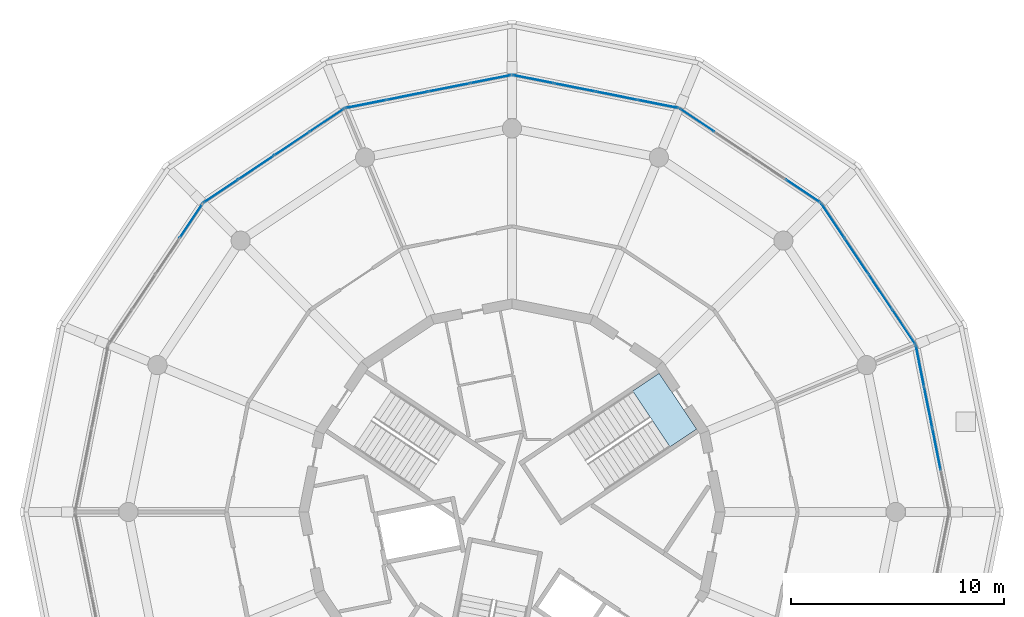
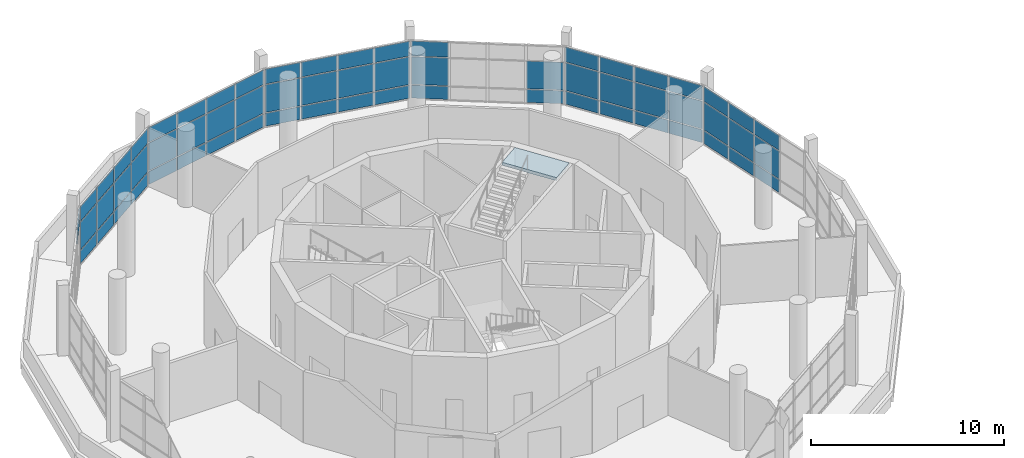
# One storey, part 15 of 21: 63 plates, 1 slab, 8 elements without a shape of their own.
"""IFC4 building model written with IfcOpenShell, lengths in metres."""

from ifc_helpers import new_model, si_unit, direction, frame, origin, origin_2d, place, context, subcontext, project, spatial, polyline, rectangle, outline, extrude, material, layer, layer_set, type_object, element, aggregate, save


model = new_model("IFC4")

# Units and contexts
model_context = context("Model", 3, precision=1e-05, world=origin(), true_north=direction((0.0, 1.0)))
body_context = subcontext(model_context, "Body", "Model", "MODEL_VIEW")
ifc_project = project(units=[si_unit("LENGTHUNIT", "METRE"), si_unit("AREAUNIT", "SQUARE_METRE"), si_unit("VOLUMEUNIT", "CUBIC_METRE"), si_unit("PLANEANGLEUNIT", "RADIAN"), si_unit("MASSUNIT", "GRAM", prefix="KILO")], contexts=[model_context])

# Site, building, storey
site_placement = place(None, origin())
site = spatial("IfcSite", under=ifc_project, at=site_placement, CompositionType="ELEMENT")
building_placement = place(site_placement, origin())
building = spatial("IfcBuilding", under=site, at=building_placement, Name="Ceibo Conservatory and Research Tower", CompositionType="ELEMENT")
storey_placement = place(building_placement, frame((0.0, 0.0, 15.60009765625)))
storey = spatial("IfcBuildingStorey", under=building, at=storey_placement, Name="L03", CompositionType="ELEMENT", Elevation=15.60009765625)

# Stair, slab
ifc_material_1 = material(Name="Concrete C35/45", Category="concrete")
stair_type = type_object("IfcStairType", Name="Escape stair 171 x 280", PredefinedType="HALF_TURN_STAIR", material=ifc_material_1)
stair_placement = place(storey_placement, origin())
stair = element("IfcStair", 1, at=stair_placement, inside=storey, type_object=stair_type, Name="Escape stair ST1 03", PredefinedType="HALF_TURN_STAIR")
ifc_layer_1 = layer(ifc_material_1, 0.199951171875)
ifc_layer_set_1 = layer_set([ifc_layer_1], Name="Concrete C35/45")
slab_type = type_object("IfcSlabType", Name="Escape stair landing", PredefinedType="LANDING", material=ifc_layer_set_1)
slab_placement = place(storey_placement, frame((54.90576171875, 126.508544921875, 4.599853515625), z_axis=(0.0, 0.0, 1.0), x_axis=(-0.831469612303, -0.55557023302, 0.0)))
slab = element("IfcSlab", 2, at=slab_placement, type_object=slab_type, Name="ST1 landing 2", PredefinedType="LANDING", context=body_context, shape_type="SweptSolid", body=[
    extrude(outline(polyline([(0.0, 0.0), (1.5, 0.0), (1.5, 3.150146484375), (0.0, 3.150146484375), (0.0, 0.0)])), origin(), (0.0, 0.0, 1.0), 0.199951171875),
])
aggregate(stair, [slab])

# Curtain wall, plates
ifc_material_2 = material(Name="Aluminium and glass", Category="aluminium")
curtain_wall_type = type_object("IfcCurtainWallType", Name="Curtain wall CW1", PredefinedType="NOTDEFINED", material=ifc_material_2)
curtain_wall_1_placement = place(storey_placement, origin())
curtain_wall_1 = element("IfcCurtainWall", 3, at=curtain_wall_1_placement, inside=storey, type_object=curtain_wall_type, Name="CW-03.01", PredefinedType="NOTDEFINED")
ifc_material_3 = material(Name="Glass", Category="glass")
ifc_layer_2 = layer(ifc_material_3, 0.028076171875)
ifc_layer_set_2 = layer_set([ifc_layer_2], Name="Glass")
plate_type = type_object("IfcPlateType", Name="Insulated glass panel 28", PredefinedType="CURTAIN_PANEL", material=ifc_layer_set_2)
plate_1_placement = place(storey_placement, frame((67.914794921875, 122.94189453125, 0.059814453125), z_axis=(0.0, 0.0, 1.0), x_axis=(-0.195090380799, 0.980785268711, 0.0)))
plate_1 = element("IfcPlate", 4, at=plate_1_placement, type_object=plate_type, Name="CW-03.01 panel 2.1", PredefinedType="CURTAIN_PANEL", context=body_context, shape_type="SweptSolid", body=[
    extrude(rectangle(XDim=1.939697265625, YDim=0.028076171875, at=origin_2d()), origin(), (0.0, 0.0, 1.0), 0.81005859375),
])
plate_2_placement = place(storey_placement, frame((67.914794921875, 122.94189453125, 0.9296875), z_axis=(0.0, 0.0, 1.0), x_axis=(-0.195090380799, 0.980785268711, 0.0)))
plate_2 = element("IfcPlate", 5, at=plate_2_placement, type_object=plate_type, Name="CW-03.01 panel 2.2", PredefinedType="CURTAIN_PANEL", context=body_context, shape_type="SweptSolid", body=[
    extrude(rectangle(XDim=1.939697265625, YDim=0.028076171875, at=origin_2d()), origin(), (0.0, 0.0, 1.0), 1.739990234375),
])
plate_3_placement = place(storey_placement, frame((67.914794921875, 122.94189453125, 2.72998046875), z_axis=(0.0, 0.0, 1.0), x_axis=(-0.195090380799, 0.980785268711, 0.0)))
plate_3 = element("IfcPlate", 6, at=plate_3_placement, type_object=plate_type, Name="CW-03.01 panel 2.3", PredefinedType="CURTAIN_PANEL", context=body_context, shape_type="SweptSolid", body=[
    extrude(rectangle(XDim=1.939697265625, YDim=0.028076171875, at=origin_2d()), origin(), (0.0, 0.0, 1.0), 0.929931640625),
])
plate_4_placement = place(storey_placement, frame((67.524658203125, 124.903076171875, 0.059814453125), z_axis=(0.0, 0.0, 1.0), x_axis=(-0.195090380799, 0.980785268711, 0.0)))
plate_4 = element("IfcPlate", 7, at=plate_4_placement, type_object=plate_type, Name="CW-03.01 panel 3.1", PredefinedType="CURTAIN_PANEL", context=body_context, shape_type="SweptSolid", body=[
    extrude(rectangle(XDim=1.939697265625, YDim=0.028076171875, at=origin_2d()), origin(), (0.0, 0.0, 1.0), 0.81005859375),
])
plate_5_placement = place(storey_placement, frame((67.524658203125, 124.903076171875, 0.9296875), z_axis=(0.0, 0.0, 1.0), x_axis=(-0.195090380799, 0.980785268711, 0.0)))
plate_5 = element("IfcPlate", 8, at=plate_5_placement, type_object=plate_type, Name="CW-03.01 panel 3.2", PredefinedType="CURTAIN_PANEL", context=body_context, shape_type="SweptSolid", body=[
    extrude(rectangle(XDim=1.939697265625, YDim=0.028076171875, at=origin_2d()), origin(), (0.0, 0.0, 1.0), 1.739990234375),
])
plate_6_placement = place(storey_placement, frame((67.524658203125, 124.903076171875, 2.72998046875), z_axis=(0.0, 0.0, 1.0), x_axis=(-0.195090380799, 0.980785268711, 0.0)))
plate_6 = element("IfcPlate", 9, at=plate_6_placement, type_object=plate_type, Name="CW-03.01 panel 3.3", PredefinedType="CURTAIN_PANEL", context=body_context, shape_type="SweptSolid", body=[
    extrude(rectangle(XDim=1.939697265625, YDim=0.028076171875, at=origin_2d()), origin(), (0.0, 0.0, 1.0), 0.929931640625),
])
plate_7_placement = place(storey_placement, frame((67.137451171875, 126.849609375, 0.059814453125), z_axis=(0.0, 0.0, 1.0), x_axis=(-0.195090380799, 0.980785268711, 0.0)))
plate_7 = element("IfcPlate", 10, at=plate_7_placement, type_object=plate_type, Name="CW-03.01 panel 4.1", PredefinedType="CURTAIN_PANEL", context=body_context, shape_type="SweptSolid", body=[
    extrude(rectangle(XDim=1.90966796875, YDim=0.028076171875, at=origin_2d()), origin(), (0.0, 0.0, 1.0), 0.81005859375),
])
plate_8_placement = place(storey_placement, frame((67.137451171875, 126.849609375, 0.9296875), z_axis=(0.0, 0.0, 1.0), x_axis=(-0.195090380799, 0.980785268711, 0.0)))
plate_8 = element("IfcPlate", 11, at=plate_8_placement, type_object=plate_type, Name="CW-03.01 panel 4.2", PredefinedType="CURTAIN_PANEL", context=body_context, shape_type="SweptSolid", body=[
    extrude(rectangle(XDim=1.90966796875, YDim=0.028076171875, at=origin_2d()), origin(), (0.0, 0.0, 1.0), 1.739990234375),
])
plate_9_placement = place(storey_placement, frame((67.137451171875, 126.849609375, 2.72998046875), z_axis=(0.0, 0.0, 1.0), x_axis=(-0.195090380799, 0.980785268711, 0.0)))
plate_9 = element("IfcPlate", 12, at=plate_9_placement, type_object=plate_type, Name="CW-03.01 panel 4.3", PredefinedType="CURTAIN_PANEL", context=body_context, shape_type="SweptSolid", body=[
    extrude(rectangle(XDim=1.90966796875, YDim=0.028076171875, at=origin_2d()), origin(), (0.0, 0.0, 1.0), 0.929931640625),
])
aggregate(curtain_wall_1, [plate_1, plate_2, plate_3, plate_4, plate_5, plate_6, plate_7, plate_8, plate_9])

curtain_wall_2_placement = place(storey_placement, origin())
curtain_wall_2 = element("IfcCurtainWall", 13, at=curtain_wall_2_placement, inside=storey, type_object=curtain_wall_type, Name="CW-03.02", PredefinedType="NOTDEFINED")
plate_10_placement = place(storey_placement, frame((66.375732421875, 128.688720703125, 0.059814453125), z_axis=(0.0, 0.0, 1.0), x_axis=(-0.555570178092, 0.831469649004, 0.0)))
plate_10 = element("IfcPlate", 14, at=plate_10_placement, type_object=plate_type, Name="CW-03.02 panel 1.1", PredefinedType="CURTAIN_PANEL", context=body_context, shape_type="SweptSolid", body=[
    extrude(rectangle(XDim=1.90966796875, YDim=0.028076171875, at=origin_2d()), origin(), (0.0, 0.0, 1.0), 0.81005859375),
])
plate_11_placement = place(storey_placement, frame((66.375732421875, 128.688720703125, 0.9296875), z_axis=(0.0, 0.0, 1.0), x_axis=(-0.555570178092, 0.831469649004, 0.0)))
plate_11 = element("IfcPlate", 15, at=plate_11_placement, type_object=plate_type, Name="CW-03.02 panel 1.2", PredefinedType="CURTAIN_PANEL", context=body_context, shape_type="SweptSolid", body=[
    extrude(rectangle(XDim=1.90966796875, YDim=0.028076171875, at=origin_2d()), origin(), (0.0, 0.0, 1.0), 1.739990234375),
])
plate_12_placement = place(storey_placement, frame((66.375732421875, 128.688720703125, 2.72998046875), z_axis=(0.0, 0.0, 1.0), x_axis=(-0.555570178092, 0.831469649004, 0.0)))
plate_12 = element("IfcPlate", 16, at=plate_12_placement, type_object=plate_type, Name="CW-03.02 panel 1.3", PredefinedType="CURTAIN_PANEL", context=body_context, shape_type="SweptSolid", body=[
    extrude(rectangle(XDim=1.90966796875, YDim=0.028076171875, at=origin_2d()), origin(), (0.0, 0.0, 1.0), 0.929931640625),
])
plate_13_placement = place(storey_placement, frame((65.273193359375, 130.339111328125, 0.059814453125), z_axis=(0.0, 0.0, 1.0), x_axis=(-0.555570178092, 0.831469649004, 0.0)))
plate_13 = element("IfcPlate", 17, at=plate_13_placement, type_object=plate_type, Name="CW-03.02 panel 2.1", PredefinedType="CURTAIN_PANEL", context=body_context, shape_type="SweptSolid", body=[
    extrude(rectangle(XDim=1.939697265625, YDim=0.028076171875, at=origin_2d()), origin(), (0.0, 0.0, 1.0), 0.81005859375),
])
plate_14_placement = place(storey_placement, frame((65.273193359375, 130.339111328125, 0.9296875), z_axis=(0.0, 0.0, 1.0), x_axis=(-0.555570178092, 0.831469649004, 0.0)))
plate_14 = element("IfcPlate", 18, at=plate_14_placement, type_object=plate_type, Name="CW-03.02 panel 2.2", PredefinedType="CURTAIN_PANEL", context=body_context, shape_type="SweptSolid", body=[
    extrude(rectangle(XDim=1.939697265625, YDim=0.028076171875, at=origin_2d()), origin(), (0.0, 0.0, 1.0), 1.739990234375),
])
plate_15_placement = place(storey_placement, frame((65.273193359375, 130.339111328125, 2.72998046875), z_axis=(0.0, 0.0, 1.0), x_axis=(-0.555570178092, 0.831469649004, 0.0)))
plate_15 = element("IfcPlate", 19, at=plate_15_placement, type_object=plate_type, Name="CW-03.02 panel 2.3", PredefinedType="CURTAIN_PANEL", context=body_context, shape_type="SweptSolid", body=[
    extrude(rectangle(XDim=1.939697265625, YDim=0.028076171875, at=origin_2d()), origin(), (0.0, 0.0, 1.0), 0.929931640625),
])
plate_16_placement = place(storey_placement, frame((64.162109375, 132.001708984375, 0.059814453125), z_axis=(0.0, 0.0, 1.0), x_axis=(-0.555570178092, 0.831469649004, 0.0)))
plate_16 = element("IfcPlate", 20, at=plate_16_placement, type_object=plate_type, Name="CW-03.02 panel 3.1", PredefinedType="CURTAIN_PANEL", context=body_context, shape_type="SweptSolid", body=[
    extrude(rectangle(XDim=1.939697265625, YDim=0.028076171875, at=origin_2d()), origin(), (0.0, 0.0, 1.0), 0.81005859375),
])
plate_17_placement = place(storey_placement, frame((64.162109375, 132.001708984375, 0.9296875), z_axis=(0.0, 0.0, 1.0), x_axis=(-0.555570178092, 0.831469649004, 0.0)))
plate_17 = element("IfcPlate", 21, at=plate_17_placement, type_object=plate_type, Name="CW-03.02 panel 3.2", PredefinedType="CURTAIN_PANEL", context=body_context, shape_type="SweptSolid", body=[
    extrude(rectangle(XDim=1.939697265625, YDim=0.028076171875, at=origin_2d()), origin(), (0.0, 0.0, 1.0), 1.739990234375),
])
plate_18_placement = place(storey_placement, frame((64.162109375, 132.001708984375, 2.72998046875), z_axis=(0.0, 0.0, 1.0), x_axis=(-0.555570178092, 0.831469649004, 0.0)))
plate_18 = element("IfcPlate", 22, at=plate_18_placement, type_object=plate_type, Name="CW-03.02 panel 3.3", PredefinedType="CURTAIN_PANEL", context=body_context, shape_type="SweptSolid", body=[
    extrude(rectangle(XDim=1.939697265625, YDim=0.028076171875, at=origin_2d()), origin(), (0.0, 0.0, 1.0), 0.929931640625),
])
plate_19_placement = place(storey_placement, frame((63.0595703125, 133.65185546875, 0.059814453125), z_axis=(0.0, 0.0, 1.0), x_axis=(-0.555570178092, 0.831469649004, 0.0)))
plate_19 = element("IfcPlate", 23, at=plate_19_placement, type_object=plate_type, Name="CW-03.02 panel 4.1", PredefinedType="CURTAIN_PANEL", context=body_context, shape_type="SweptSolid", body=[
    extrude(rectangle(XDim=1.90966796875, YDim=0.028076171875, at=origin_2d()), origin(), (0.0, 0.0, 1.0), 0.81005859375),
])
plate_20_placement = place(storey_placement, frame((63.0595703125, 133.65185546875, 0.9296875), z_axis=(0.0, 0.0, 1.0), x_axis=(-0.555570178092, 0.831469649004, 0.0)))
plate_20 = element("IfcPlate", 24, at=plate_20_placement, type_object=plate_type, Name="CW-03.02 panel 4.2", PredefinedType="CURTAIN_PANEL", context=body_context, shape_type="SweptSolid", body=[
    extrude(rectangle(XDim=1.90966796875, YDim=0.028076171875, at=origin_2d()), origin(), (0.0, 0.0, 1.0), 1.739990234375),
])
plate_21_placement = place(storey_placement, frame((63.0595703125, 133.65185546875, 2.72998046875), z_axis=(0.0, 0.0, 1.0), x_axis=(-0.555570178092, 0.831469649004, 0.0)))
plate_21 = element("IfcPlate", 25, at=plate_21_placement, type_object=plate_type, Name="CW-03.02 panel 4.3", PredefinedType="CURTAIN_PANEL", context=body_context, shape_type="SweptSolid", body=[
    extrude(rectangle(XDim=1.90966796875, YDim=0.028076171875, at=origin_2d()), origin(), (0.0, 0.0, 1.0), 0.929931640625),
])
aggregate(curtain_wall_2, [plate_10, plate_11, plate_12, plate_13, plate_14, plate_15, plate_16, plate_17, plate_18, plate_19, plate_20, plate_21])

curtain_wall_3_placement = place(storey_placement, origin())
curtain_wall_3 = element("IfcCurtainWall", 26, at=curtain_wall_3_placement, inside=storey, type_object=curtain_wall_type, Name="CW-03.03", PredefinedType="NOTDEFINED")
plate_22_placement = place(storey_placement, frame((61.65185546875, 135.0595703125, 0.059814453125), z_axis=(0.0, 0.0, 1.0), x_axis=(-0.831469649004, 0.555570178092, 0.0)))
plate_22 = element("IfcPlate", 27, at=plate_22_placement, type_object=plate_type, Name="CW-03.03 panel 1.1", PredefinedType="CURTAIN_PANEL", context=body_context, shape_type="SweptSolid", body=[
    extrude(rectangle(XDim=1.90966796875, YDim=0.028076171875, at=origin_2d()), origin(), (0.0, 0.0, 1.0), 0.81005859375),
])
plate_23_placement = place(storey_placement, frame((61.65185546875, 135.0595703125, 0.9296875), z_axis=(0.0, 0.0, 1.0), x_axis=(-0.831469649004, 0.555570178092, 0.0)))
plate_23 = element("IfcPlate", 28, at=plate_23_placement, type_object=plate_type, Name="CW-03.03 panel 1.2", PredefinedType="CURTAIN_PANEL", context=body_context, shape_type="SweptSolid", body=[
    extrude(rectangle(XDim=1.90966796875, YDim=0.028076171875, at=origin_2d()), origin(), (0.0, 0.0, 1.0), 1.739990234375),
])
plate_24_placement = place(storey_placement, frame((56.688720703125, 138.375732421875, 0.059814453125), z_axis=(0.0, 0.0, 1.0), x_axis=(-0.831469649004, 0.555570178092, 0.0)))
plate_24 = element("IfcPlate", 29, at=plate_24_placement, type_object=plate_type, Name="CW-03.03 panel 4.1", PredefinedType="CURTAIN_PANEL", context=body_context, shape_type="SweptSolid", body=[
    extrude(rectangle(XDim=1.90966796875, YDim=0.028076171875, at=origin_2d()), origin(), (0.0, 0.0, 1.0), 0.81005859375),
])
plate_25_placement = place(storey_placement, frame((56.688720703125, 138.375732421875, 0.9296875), z_axis=(0.0, 0.0, 1.0), x_axis=(-0.831469649004, 0.555570178092, 0.0)))
plate_25 = element("IfcPlate", 30, at=plate_25_placement, type_object=plate_type, Name="CW-03.03 panel 4.2", PredefinedType="CURTAIN_PANEL", context=body_context, shape_type="SweptSolid", body=[
    extrude(rectangle(XDim=1.90966796875, YDim=0.028076171875, at=origin_2d()), origin(), (0.0, 0.0, 1.0), 1.739990234375),
])
plate_26_placement = place(storey_placement, frame((56.688720703125, 138.375732421875, 2.72998046875), z_axis=(0.0, 0.0, 1.0), x_axis=(-0.831469649004, 0.555570178092, 0.0)))
plate_26 = element("IfcPlate", 31, at=plate_26_placement, type_object=plate_type, Name="CW-03.03 panel 4.3", PredefinedType="CURTAIN_PANEL", context=body_context, shape_type="SweptSolid", body=[
    extrude(rectangle(XDim=1.90966796875, YDim=0.028076171875, at=origin_2d()), origin(), (0.0, 0.0, 1.0), 0.929931640625),
])
aggregate(curtain_wall_3, [plate_22, plate_23, plate_24, plate_25, plate_26])

curtain_wall_4_placement = place(storey_placement, origin())
curtain_wall_4 = element("IfcCurtainWall", 32, at=curtain_wall_4_placement, inside=storey, type_object=curtain_wall_type, Name="CW-03.04", PredefinedType="NOTDEFINED")
plate_27_placement = place(storey_placement, frame((54.849609375, 139.137451171875, 0.059814453125), z_axis=(0.0, 0.0, 1.0), x_axis=(-0.980785268711, 0.195090380799, 0.0)))
plate_27 = element("IfcPlate", 33, at=plate_27_placement, type_object=plate_type, Name="CW-03.04 panel 1.1", PredefinedType="CURTAIN_PANEL", context=body_context, shape_type="SweptSolid", body=[
    extrude(rectangle(XDim=1.90966796875, YDim=0.028076171875, at=origin_2d()), origin(), (0.0, 0.0, 1.0), 0.81005859375),
])
plate_28_placement = place(storey_placement, frame((54.849609375, 139.137451171875, 0.9296875), z_axis=(0.0, 0.0, 1.0), x_axis=(-0.980785268711, 0.195090380799, 0.0)))
plate_28 = element("IfcPlate", 34, at=plate_28_placement, type_object=plate_type, Name="CW-03.04 panel 1.2", PredefinedType="CURTAIN_PANEL", context=body_context, shape_type="SweptSolid", body=[
    extrude(rectangle(XDim=1.90966796875, YDim=0.028076171875, at=origin_2d()), origin(), (0.0, 0.0, 1.0), 1.739990234375),
])
plate_29_placement = place(storey_placement, frame((54.849609375, 139.137451171875, 2.72998046875), z_axis=(0.0, 0.0, 1.0), x_axis=(-0.980785268711, 0.195090380799, 0.0)))
plate_29 = element("IfcPlate", 35, at=plate_29_placement, type_object=plate_type, Name="CW-03.04 panel 1.3", PredefinedType="CURTAIN_PANEL", context=body_context, shape_type="SweptSolid", body=[
    extrude(rectangle(XDim=1.90966796875, YDim=0.028076171875, at=origin_2d()), origin(), (0.0, 0.0, 1.0), 0.929931640625),
])
plate_30_placement = place(storey_placement, frame((52.903076171875, 139.524658203125, 0.059814453125), z_axis=(0.0, 0.0, 1.0), x_axis=(-0.980785268711, 0.195090380799, 0.0)))
plate_30 = element("IfcPlate", 36, at=plate_30_placement, type_object=plate_type, Name="CW-03.04 panel 2.1", PredefinedType="CURTAIN_PANEL", context=body_context, shape_type="SweptSolid", body=[
    extrude(rectangle(XDim=1.939697265625, YDim=0.028076171875, at=origin_2d()), origin(), (0.0, 0.0, 1.0), 0.81005859375),
])
plate_31_placement = place(storey_placement, frame((52.903076171875, 139.524658203125, 0.9296875), z_axis=(0.0, 0.0, 1.0), x_axis=(-0.980785268711, 0.195090380799, 0.0)))
plate_31 = element("IfcPlate", 37, at=plate_31_placement, type_object=plate_type, Name="CW-03.04 panel 2.2", PredefinedType="CURTAIN_PANEL", context=body_context, shape_type="SweptSolid", body=[
    extrude(rectangle(XDim=1.939697265625, YDim=0.028076171875, at=origin_2d()), origin(), (0.0, 0.0, 1.0), 1.739990234375),
])
plate_32_placement = place(storey_placement, frame((52.903076171875, 139.524658203125, 2.72998046875), z_axis=(0.0, 0.0, 1.0), x_axis=(-0.980785268711, 0.195090380799, 0.0)))
plate_32 = element("IfcPlate", 38, at=plate_32_placement, type_object=plate_type, Name="CW-03.04 panel 2.3", PredefinedType="CURTAIN_PANEL", context=body_context, shape_type="SweptSolid", body=[
    extrude(rectangle(XDim=1.939697265625, YDim=0.028076171875, at=origin_2d()), origin(), (0.0, 0.0, 1.0), 0.929931640625),
])
plate_33_placement = place(storey_placement, frame((50.94189453125, 139.914794921875, 0.059814453125), z_axis=(0.0, 0.0, 1.0), x_axis=(-0.980785268711, 0.195090380799, 0.0)))
plate_33 = element("IfcPlate", 39, at=plate_33_placement, type_object=plate_type, Name="CW-03.04 panel 3.1", PredefinedType="CURTAIN_PANEL", context=body_context, shape_type="SweptSolid", body=[
    extrude(rectangle(XDim=1.939697265625, YDim=0.028076171875, at=origin_2d()), origin(), (0.0, 0.0, 1.0), 0.81005859375),
])
plate_34_placement = place(storey_placement, frame((50.94189453125, 139.914794921875, 0.9296875), z_axis=(0.0, 0.0, 1.0), x_axis=(-0.980785268711, 0.195090380799, 0.0)))
plate_34 = element("IfcPlate", 40, at=plate_34_placement, type_object=plate_type, Name="CW-03.04 panel 3.2", PredefinedType="CURTAIN_PANEL", context=body_context, shape_type="SweptSolid", body=[
    extrude(rectangle(XDim=1.939697265625, YDim=0.028076171875, at=origin_2d()), origin(), (0.0, 0.0, 1.0), 1.739990234375),
])
plate_35_placement = place(storey_placement, frame((50.94189453125, 139.914794921875, 2.72998046875), z_axis=(0.0, 0.0, 1.0), x_axis=(-0.980785268711, 0.195090380799, 0.0)))
plate_35 = element("IfcPlate", 41, at=plate_35_placement, type_object=plate_type, Name="CW-03.04 panel 3.3", PredefinedType="CURTAIN_PANEL", context=body_context, shape_type="SweptSolid", body=[
    extrude(rectangle(XDim=1.939697265625, YDim=0.028076171875, at=origin_2d()), origin(), (0.0, 0.0, 1.0), 0.929931640625),
])
plate_36_placement = place(storey_placement, frame((48.995361328125, 140.302001953125, 0.059814453125), z_axis=(0.0, 0.0, 1.0), x_axis=(-0.980785268711, 0.195090380799, 0.0)))
plate_36 = element("IfcPlate", 42, at=plate_36_placement, type_object=plate_type, Name="CW-03.04 panel 4.1", PredefinedType="CURTAIN_PANEL", context=body_context, shape_type="SweptSolid", body=[
    extrude(rectangle(XDim=1.90966796875, YDim=0.028076171875, at=origin_2d()), origin(), (0.0, 0.0, 1.0), 0.81005859375),
])
plate_37_placement = place(storey_placement, frame((48.995361328125, 140.302001953125, 0.9296875), z_axis=(0.0, 0.0, 1.0), x_axis=(-0.980785268711, 0.195090380799, 0.0)))
plate_37 = element("IfcPlate", 43, at=plate_37_placement, type_object=plate_type, Name="CW-03.04 panel 4.2", PredefinedType="CURTAIN_PANEL", context=body_context, shape_type="SweptSolid", body=[
    extrude(rectangle(XDim=1.90966796875, YDim=0.028076171875, at=origin_2d()), origin(), (0.0, 0.0, 1.0), 1.739990234375),
])
plate_38_placement = place(storey_placement, frame((48.995361328125, 140.302001953125, 2.72998046875), z_axis=(0.0, 0.0, 1.0), x_axis=(-0.980785268711, 0.195090380799, 0.0)))
plate_38 = element("IfcPlate", 44, at=plate_38_placement, type_object=plate_type, Name="CW-03.04 panel 4.3", PredefinedType="CURTAIN_PANEL", context=body_context, shape_type="SweptSolid", body=[
    extrude(rectangle(XDim=1.90966796875, YDim=0.028076171875, at=origin_2d()), origin(), (0.0, 0.0, 1.0), 0.929931640625),
])
aggregate(curtain_wall_4, [plate_27, plate_28, plate_29, plate_30, plate_31, plate_32, plate_33, plate_34, plate_35, plate_36, plate_37, plate_38])

curtain_wall_5_placement = place(storey_placement, origin())
curtain_wall_5 = element("IfcCurtainWall", 45, at=curtain_wall_5_placement, inside=storey, type_object=curtain_wall_type, Name="CW-03.05", PredefinedType="NOTDEFINED")
plate_39_placement = place(storey_placement, frame((47.004638671875, 140.302001953125, 0.059814453125), z_axis=(0.0, 0.0, 1.0), x_axis=(-0.980785268711, -0.195090380799, 0.0)))
plate_39 = element("IfcPlate", 46, at=plate_39_placement, type_object=plate_type, Name="CW-03.05 panel 1.1", PredefinedType="CURTAIN_PANEL", context=body_context, shape_type="SweptSolid", body=[
    extrude(rectangle(XDim=1.90966796875, YDim=0.028076171875, at=origin_2d()), origin(), (0.0, 0.0, 1.0), 0.81005859375),
])
plate_40_placement = place(storey_placement, frame((47.004638671875, 140.302001953125, 0.9296875), z_axis=(0.0, 0.0, 1.0), x_axis=(-0.980785268711, -0.195090380799, 0.0)))
plate_40 = element("IfcPlate", 47, at=plate_40_placement, type_object=plate_type, Name="CW-03.05 panel 1.2", PredefinedType="CURTAIN_PANEL", context=body_context, shape_type="SweptSolid", body=[
    extrude(rectangle(XDim=1.90966796875, YDim=0.028076171875, at=origin_2d()), origin(), (0.0, 0.0, 1.0), 1.739990234375),
])
plate_41_placement = place(storey_placement, frame((47.004638671875, 140.302001953125, 2.72998046875), z_axis=(0.0, 0.0, 1.0), x_axis=(-0.980785268711, -0.195090380799, 0.0)))
plate_41 = element("IfcPlate", 48, at=plate_41_placement, type_object=plate_type, Name="CW-03.05 panel 1.3", PredefinedType="CURTAIN_PANEL", context=body_context, shape_type="SweptSolid", body=[
    extrude(rectangle(XDim=1.90966796875, YDim=0.028076171875, at=origin_2d()), origin(), (0.0, 0.0, 1.0), 0.929931640625),
])
plate_42_placement = place(storey_placement, frame((45.05810546875, 139.914794921875, 0.059814453125), z_axis=(0.0, 0.0, 1.0), x_axis=(-0.980785268711, -0.195090380799, 0.0)))
plate_42 = element("IfcPlate", 49, at=plate_42_placement, type_object=plate_type, Name="CW-03.05 panel 2.1", PredefinedType="CURTAIN_PANEL", context=body_context, shape_type="SweptSolid", body=[
    extrude(rectangle(XDim=1.939697265625, YDim=0.028076171875, at=origin_2d()), origin(), (0.0, 0.0, 1.0), 0.81005859375),
])
plate_43_placement = place(storey_placement, frame((45.05810546875, 139.914794921875, 0.9296875), z_axis=(0.0, 0.0, 1.0), x_axis=(-0.980785268711, -0.195090380799, 0.0)))
plate_43 = element("IfcPlate", 50, at=plate_43_placement, type_object=plate_type, Name="CW-03.05 panel 2.2", PredefinedType="CURTAIN_PANEL", context=body_context, shape_type="SweptSolid", body=[
    extrude(rectangle(XDim=1.939697265625, YDim=0.028076171875, at=origin_2d()), origin(), (0.0, 0.0, 1.0), 1.739990234375),
])
plate_44_placement = place(storey_placement, frame((45.05810546875, 139.914794921875, 2.72998046875), z_axis=(0.0, 0.0, 1.0), x_axis=(-0.980785268711, -0.195090380799, 0.0)))
plate_44 = element("IfcPlate", 51, at=plate_44_placement, type_object=plate_type, Name="CW-03.05 panel 2.3", PredefinedType="CURTAIN_PANEL", context=body_context, shape_type="SweptSolid", body=[
    extrude(rectangle(XDim=1.939697265625, YDim=0.028076171875, at=origin_2d()), origin(), (0.0, 0.0, 1.0), 0.929931640625),
])
plate_45_placement = place(storey_placement, frame((43.096923828125, 139.524658203125, 0.059814453125), z_axis=(0.0, 0.0, 1.0), x_axis=(-0.980785268711, -0.195090380799, 0.0)))
plate_45 = element("IfcPlate", 52, at=plate_45_placement, type_object=plate_type, Name="CW-03.05 panel 3.1", PredefinedType="CURTAIN_PANEL", context=body_context, shape_type="SweptSolid", body=[
    extrude(rectangle(XDim=1.939697265625, YDim=0.028076171875, at=origin_2d()), origin(), (0.0, 0.0, 1.0), 0.81005859375),
])
plate_46_placement = place(storey_placement, frame((43.096923828125, 139.524658203125, 0.9296875), z_axis=(0.0, 0.0, 1.0), x_axis=(-0.980785268711, -0.195090380799, 0.0)))
plate_46 = element("IfcPlate", 53, at=plate_46_placement, type_object=plate_type, Name="CW-03.05 panel 3.2", PredefinedType="CURTAIN_PANEL", context=body_context, shape_type="SweptSolid", body=[
    extrude(rectangle(XDim=1.939697265625, YDim=0.028076171875, at=origin_2d()), origin(), (0.0, 0.0, 1.0), 1.739990234375),
])
plate_47_placement = place(storey_placement, frame((43.096923828125, 139.524658203125, 2.72998046875), z_axis=(0.0, 0.0, 1.0), x_axis=(-0.980785268711, -0.195090380799, 0.0)))
plate_47 = element("IfcPlate", 54, at=plate_47_placement, type_object=plate_type, Name="CW-03.05 panel 3.3", PredefinedType="CURTAIN_PANEL", context=body_context, shape_type="SweptSolid", body=[
    extrude(rectangle(XDim=1.939697265625, YDim=0.028076171875, at=origin_2d()), origin(), (0.0, 0.0, 1.0), 0.929931640625),
])
plate_48_placement = place(storey_placement, frame((41.150390625, 139.137451171875, 0.059814453125), z_axis=(0.0, 0.0, 1.0), x_axis=(-0.980785268711, -0.195090380799, 0.0)))
plate_48 = element("IfcPlate", 55, at=plate_48_placement, type_object=plate_type, Name="CW-03.05 panel 4.1", PredefinedType="CURTAIN_PANEL", context=body_context, shape_type="SweptSolid", body=[
    extrude(rectangle(XDim=1.90966796875, YDim=0.028076171875, at=origin_2d()), origin(), (0.0, 0.0, 1.0), 0.81005859375),
])
plate_49_placement = place(storey_placement, frame((41.150390625, 139.137451171875, 0.9296875), z_axis=(0.0, 0.0, 1.0), x_axis=(-0.980785268711, -0.195090380799, 0.0)))
plate_49 = element("IfcPlate", 56, at=plate_49_placement, type_object=plate_type, Name="CW-03.05 panel 4.2", PredefinedType="CURTAIN_PANEL", context=body_context, shape_type="SweptSolid", body=[
    extrude(rectangle(XDim=1.90966796875, YDim=0.028076171875, at=origin_2d()), origin(), (0.0, 0.0, 1.0), 1.739990234375),
])
plate_50_placement = place(storey_placement, frame((41.150390625, 139.137451171875, 2.72998046875), z_axis=(0.0, 0.0, 1.0), x_axis=(-0.980785268711, -0.195090380799, 0.0)))
plate_50 = element("IfcPlate", 57, at=plate_50_placement, type_object=plate_type, Name="CW-03.05 panel 4.3", PredefinedType="CURTAIN_PANEL", context=body_context, shape_type="SweptSolid", body=[
    extrude(rectangle(XDim=1.90966796875, YDim=0.028076171875, at=origin_2d()), origin(), (0.0, 0.0, 1.0), 0.929931640625),
])
aggregate(curtain_wall_5, [plate_39, plate_40, plate_41, plate_42, plate_43, plate_44, plate_45, plate_46, plate_47, plate_48, plate_49, plate_50])

curtain_wall_6_placement = place(storey_placement, origin())
curtain_wall_6 = element("IfcCurtainWall", 58, at=curtain_wall_6_placement, inside=storey, type_object=curtain_wall_type, Name="CW-03.06", PredefinedType="NOTDEFINED")
plate_51_placement = place(storey_placement, frame((39.311279296875, 138.375732421875, 0.059814453125), z_axis=(0.0, 0.0, 1.0), x_axis=(-0.831469649004, -0.555570178092, 0.0)))
plate_51 = element("IfcPlate", 59, at=plate_51_placement, type_object=plate_type, Name="CW-03.06 panel 1.1", PredefinedType="CURTAIN_PANEL", context=body_context, shape_type="SweptSolid", body=[
    extrude(rectangle(XDim=1.90966796875, YDim=0.028076171875, at=origin_2d()), origin(), (0.0, 0.0, 1.0), 0.81005859375),
])
plate_52_placement = place(storey_placement, frame((39.311279296875, 138.375732421875, 0.9296875), z_axis=(0.0, 0.0, 1.0), x_axis=(-0.831469649004, -0.555570178092, 0.0)))
plate_52 = element("IfcPlate", 60, at=plate_52_placement, type_object=plate_type, Name="CW-03.06 panel 1.2", PredefinedType="CURTAIN_PANEL", context=body_context, shape_type="SweptSolid", body=[
    extrude(rectangle(XDim=1.90966796875, YDim=0.028076171875, at=origin_2d()), origin(), (0.0, 0.0, 1.0), 1.739990234375),
])
plate_53_placement = place(storey_placement, frame((39.311279296875, 138.375732421875, 2.72998046875), z_axis=(0.0, 0.0, 1.0), x_axis=(-0.831469649004, -0.555570178092, 0.0)))
plate_53 = element("IfcPlate", 61, at=plate_53_placement, type_object=plate_type, Name="CW-03.06 panel 1.3", PredefinedType="CURTAIN_PANEL", context=body_context, shape_type="SweptSolid", body=[
    extrude(rectangle(XDim=1.90966796875, YDim=0.028076171875, at=origin_2d()), origin(), (0.0, 0.0, 1.0), 0.929931640625),
])
plate_54_placement = place(storey_placement, frame((37.660888671875, 137.273193359375, 0.059814453125), z_axis=(0.0, 0.0, 1.0), x_axis=(-0.831469649004, -0.555570178092, 0.0)))
plate_54 = element("IfcPlate", 62, at=plate_54_placement, type_object=plate_type, Name="CW-03.06 panel 2.1", PredefinedType="CURTAIN_PANEL", context=body_context, shape_type="SweptSolid", body=[
    extrude(rectangle(XDim=1.939697265625, YDim=0.028076171875, at=origin_2d()), origin(), (0.0, 0.0, 1.0), 0.81005859375),
])
plate_55_placement = place(storey_placement, frame((37.660888671875, 137.273193359375, 0.9296875), z_axis=(0.0, 0.0, 1.0), x_axis=(-0.831469649004, -0.555570178092, 0.0)))
plate_55 = element("IfcPlate", 63, at=plate_55_placement, type_object=plate_type, Name="CW-03.06 panel 2.2", PredefinedType="CURTAIN_PANEL", context=body_context, shape_type="SweptSolid", body=[
    extrude(rectangle(XDim=1.939697265625, YDim=0.028076171875, at=origin_2d()), origin(), (0.0, 0.0, 1.0), 1.739990234375),
])
plate_56_placement = place(storey_placement, frame((37.660888671875, 137.273193359375, 2.72998046875), z_axis=(0.0, 0.0, 1.0), x_axis=(-0.831469649004, -0.555570178092, 0.0)))
plate_56 = element("IfcPlate", 64, at=plate_56_placement, type_object=plate_type, Name="CW-03.06 panel 2.3", PredefinedType="CURTAIN_PANEL", context=body_context, shape_type="SweptSolid", body=[
    extrude(rectangle(XDim=1.939697265625, YDim=0.028076171875, at=origin_2d()), origin(), (0.0, 0.0, 1.0), 0.929931640625),
])
plate_57_placement = place(storey_placement, frame((35.998291015625, 136.162109375, 0.059814453125), z_axis=(0.0, 0.0, 1.0), x_axis=(-0.831469649004, -0.555570178092, 0.0)))
plate_57 = element("IfcPlate", 65, at=plate_57_placement, type_object=plate_type, Name="CW-03.06 panel 3.1", PredefinedType="CURTAIN_PANEL", context=body_context, shape_type="SweptSolid", body=[
    extrude(rectangle(XDim=1.939697265625, YDim=0.028076171875, at=origin_2d()), origin(), (0.0, 0.0, 1.0), 0.81005859375),
])
plate_58_placement = place(storey_placement, frame((35.998291015625, 136.162109375, 0.9296875), z_axis=(0.0, 0.0, 1.0), x_axis=(-0.831469649004, -0.555570178092, 0.0)))
plate_58 = element("IfcPlate", 66, at=plate_58_placement, type_object=plate_type, Name="CW-03.06 panel 3.2", PredefinedType="CURTAIN_PANEL", context=body_context, shape_type="SweptSolid", body=[
    extrude(rectangle(XDim=1.939697265625, YDim=0.028076171875, at=origin_2d()), origin(), (0.0, 0.0, 1.0), 1.739990234375),
])
plate_59_placement = place(storey_placement, frame((35.998291015625, 136.162109375, 2.72998046875), z_axis=(0.0, 0.0, 1.0), x_axis=(-0.831469649004, -0.555570178092, 0.0)))
plate_59 = element("IfcPlate", 67, at=plate_59_placement, type_object=plate_type, Name="CW-03.06 panel 3.3", PredefinedType="CURTAIN_PANEL", context=body_context, shape_type="SweptSolid", body=[
    extrude(rectangle(XDim=1.939697265625, YDim=0.028076171875, at=origin_2d()), origin(), (0.0, 0.0, 1.0), 0.929931640625),
])
plate_60_placement = place(storey_placement, frame((34.34814453125, 135.0595703125, 0.059814453125), z_axis=(0.0, 0.0, 1.0), x_axis=(-0.831469649004, -0.555570178092, 0.0)))
plate_60 = element("IfcPlate", 68, at=plate_60_placement, type_object=plate_type, Name="CW-03.06 panel 4.1", PredefinedType="CURTAIN_PANEL", context=body_context, shape_type="SweptSolid", body=[
    extrude(rectangle(XDim=1.90966796875, YDim=0.028076171875, at=origin_2d()), origin(), (0.0, 0.0, 1.0), 0.81005859375),
])
plate_61_placement = place(storey_placement, frame((34.34814453125, 135.0595703125, 0.9296875), z_axis=(0.0, 0.0, 1.0), x_axis=(-0.831469649004, -0.555570178092, 0.0)))
plate_61 = element("IfcPlate", 69, at=plate_61_placement, type_object=plate_type, Name="CW-03.06 panel 4.2", PredefinedType="CURTAIN_PANEL", context=body_context, shape_type="SweptSolid", body=[
    extrude(rectangle(XDim=1.90966796875, YDim=0.028076171875, at=origin_2d()), origin(), (0.0, 0.0, 1.0), 1.739990234375),
])
plate_62_placement = place(storey_placement, frame((34.34814453125, 135.0595703125, 2.72998046875), z_axis=(0.0, 0.0, 1.0), x_axis=(-0.831469649004, -0.555570178092, 0.0)))
plate_62 = element("IfcPlate", 70, at=plate_62_placement, type_object=plate_type, Name="CW-03.06 panel 4.3", PredefinedType="CURTAIN_PANEL", context=body_context, shape_type="SweptSolid", body=[
    extrude(rectangle(XDim=1.90966796875, YDim=0.028076171875, at=origin_2d()), origin(), (0.0, 0.0, 1.0), 0.929931640625),
])
aggregate(curtain_wall_6, [plate_51, plate_52, plate_53, plate_54, plate_55, plate_56, plate_57, plate_58, plate_59, plate_60, plate_61, plate_62])

# Curtain wall, plate
curtain_wall_7_placement = place(storey_placement, origin())
curtain_wall_7 = element("IfcCurtainWall", 71, at=curtain_wall_7_placement, inside=storey, type_object=curtain_wall_type, Name="CW-03.07", PredefinedType="NOTDEFINED")
plate_63_placement = place(storey_placement, frame((32.9404296875, 133.65185546875, 2.72998046875), z_axis=(0.0, 0.0, 1.0), x_axis=(-0.555570178092, -0.831469649004, 0.0)))
plate_63 = element("IfcPlate", 72, at=plate_63_placement, type_object=plate_type, Name="CW-03.07 panel 1.3", PredefinedType="CURTAIN_PANEL", context=body_context, shape_type="SweptSolid", body=[
    extrude(rectangle(XDim=1.90966796875, YDim=0.028076171875, at=origin_2d()), origin(), (0.0, 0.0, 1.0), 0.929931640625),
])
aggregate(curtain_wall_7, [plate_63])

save(model, "model.ifc")
